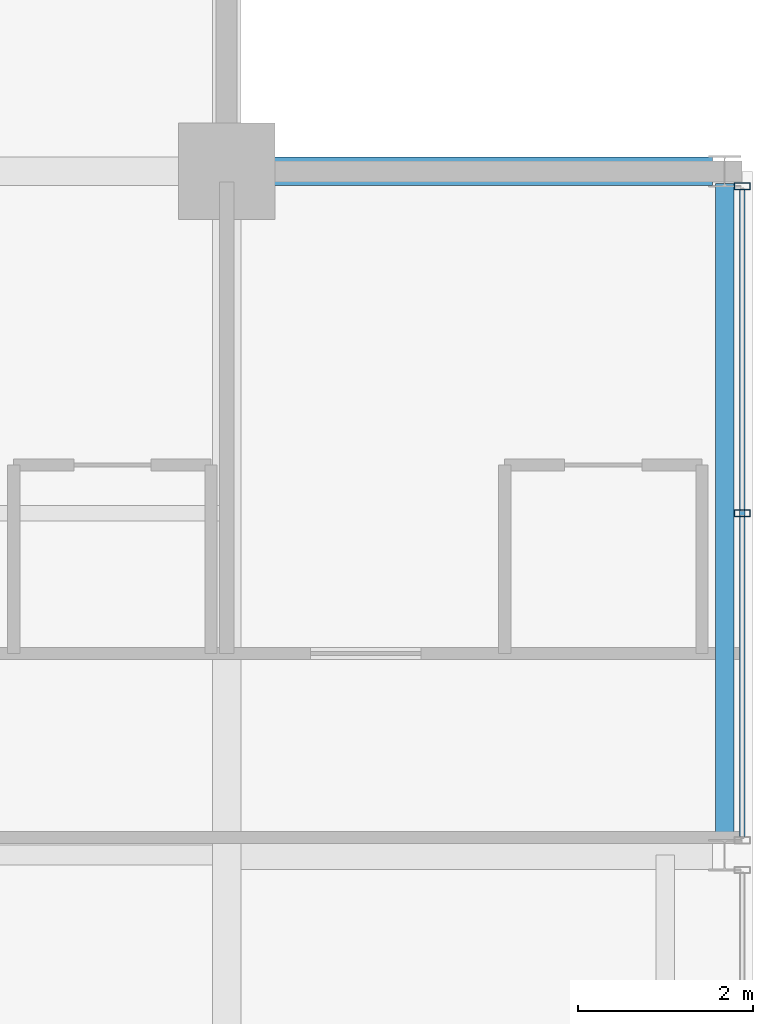
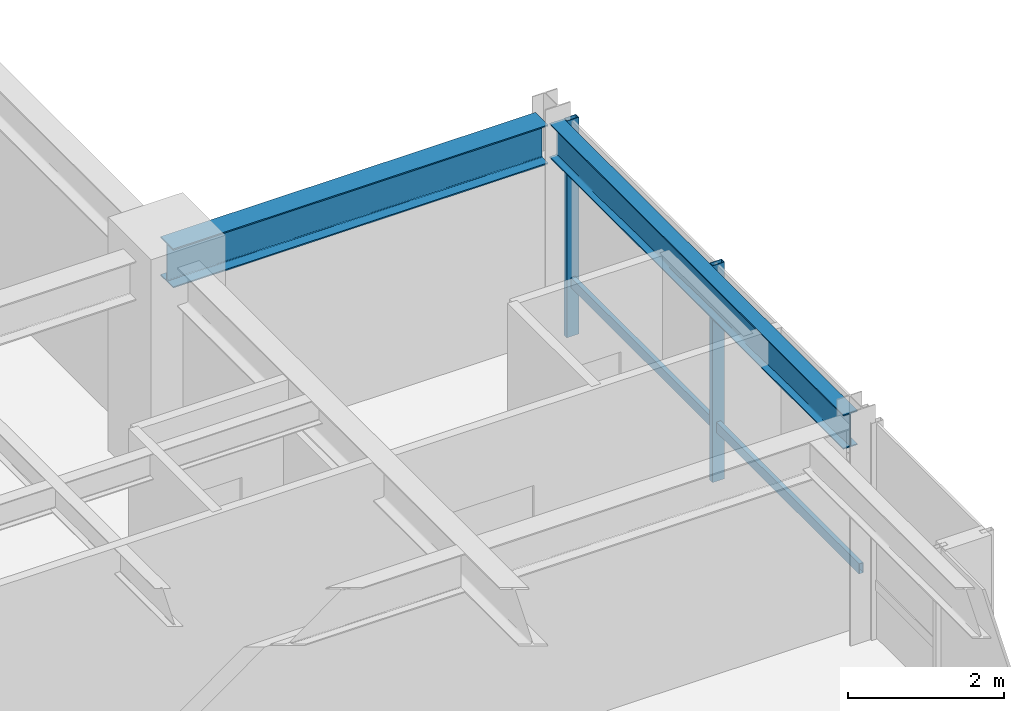
# One storey, part 25 of 33: 3 members, 2 beams, 1 element without a shape of its own.
"""IFC4 building model written with IfcOpenShell, lengths in metres."""

from ifc_helpers import new_model, si_unit, direction, frame, origin, origin_2d, place, context, subcontext, project, spatial, hollow_rectangle, i_section, extrude, material, layer, layer_set, material_profile, profile_set, type_object, element, aggregate, save


model = new_model("IFC4")

# Units and contexts
model_context = context("Model", 3, precision=1e-05, world=origin(), true_north=direction((0.0, 1.0)))
body_context = subcontext(model_context, "Body", "Model", "MODEL_VIEW")
ifc_project = project(units=[si_unit("LENGTHUNIT", "METRE"), si_unit("AREAUNIT", "SQUARE_METRE"), si_unit("VOLUMEUNIT", "CUBIC_METRE"), si_unit("PLANEANGLEUNIT", "RADIAN"), si_unit("MASSUNIT", "GRAM", prefix="KILO")], contexts=[model_context])

# Site, building, storey
site_placement = place(None, origin())
site = spatial("IfcSite", under=ifc_project, at=site_placement, CompositionType="ELEMENT")
building_placement = place(site_placement, origin())
building = spatial("IfcBuilding", under=site, at=building_placement, Name="Drelvath Grand Hotel", CompositionType="ELEMENT")
storey_placement = place(building_placement, frame((0.0, 0.0, 279.60009765625)))
storey = spatial("IfcBuildingStorey", under=building, at=storey_placement, Name="L73", CompositionType="ELEMENT", Elevation=279.60009765625)

# Curtain wall, members
ifc_material_1 = material(Name="Platinum-Mist Anodised Aluminium Frame", Category="aluminium")
ifc_layer = layer(ifc_material_1, 0.199951171875)
ifc_layer_set = layer_set([ifc_layer], Name="Platinum-Mist Anodised Aluminium Frame")
curtain_wall_type = type_object("IfcCurtainWallType", Name="Stick Curtain Wall CW-05 Platinum Mist High-Rise", PredefinedType="NOTDEFINED", material=ifc_layer_set)
curtain_wall_placement = place(storey_placement, origin())
curtain_wall = element("IfcCurtainWall", 1, at=curtain_wall_placement, inside=storey, type_object=curtain_wall_type, Name="L73 CW-05 Curtain Wall CW05-L73-EN2", PredefinedType="NOTDEFINED")
ifc_material_profile_1 = material_profile(ifc_material_1, hollow_rectangle(XDim=0.06494140625, YDim=0.159912109375, WallThickness=0.00390625, at=origin_2d()), Name="HSS160X65X4")
ifc_profile_set_1 = profile_set([ifc_material_profile_1], Name="Platinum-Mist Anodised Aluminium Frame")
member_type_1 = type_object("IfcMemberType", Name="Curtain Wall Horizontal Transom CW-05 HSS160X65X4", PredefinedType="USERDEFINED", material=ifc_profile_set_1)
member_1_placement = place(storey_placement, frame((22.080078125, 42.989990234375, 0.847412109375), z_axis=(0.0, -1.0, 0.0), x_axis=(1.0, 0.0, 0.0)))
member_1 = element("IfcMember", 2, at=member_1_placement, type_object=member_type_1, Name="CW05-L73-EN2 Sill Transom", ObjectType="TRANSOM", PredefinedType="USERDEFINED", context=body_context, shape_type="SweptSolid", body=[
    extrude(hollow_rectangle(XDim=0.06494140625, YDim=0.159912109375, WallThickness=0.00390625, at=origin_2d()), origin(), (0.0, 0.0, 1.0), 7.3798828125),
])
ifc_material_profile_2 = material_profile(ifc_material_1, hollow_rectangle(XDim=0.074951171875, YDim=0.179931640625, WallThickness=0.0048828125, at=origin_2d()), Name="HSS180X75X5")
ifc_profile_set_2 = profile_set([ifc_material_profile_2], Name="Platinum-Mist Anodised Aluminium Frame")
member_type_2 = type_object("IfcMemberType", Name="Curtain Wall Vertical Mullion CW-05 HSS180X75X5", PredefinedType="MULLION", material=ifc_profile_set_2)
member_2_placement = place(storey_placement, frame((22.080078125, 43.030029296875, 0.0), z_axis=(0.0, 0.0, 1.0), x_axis=(0.0, 1.0, 0.0)))
member_2 = element("IfcMember", 3, at=member_2_placement, type_object=member_type_2, Name="CW05-L73-EN2 Mullion 1", PredefinedType="MULLION", context=body_context, shape_type="SweptSolid", body=[
    extrude(hollow_rectangle(XDim=0.074951171875, YDim=0.179931640625, WallThickness=0.0048828125, at=origin_2d()), origin(), (0.0, 0.0, 1.0), 3.389892578125),
])
member_3_placement = place(storey_placement, frame((22.080078125, 39.300048828125, 0.0), z_axis=(0.0, 0.0, 1.0), x_axis=(0.0, 1.0, 0.0)))
member_3 = element("IfcMember", 4, at=member_3_placement, type_object=member_type_2, Name="CW05-L73-EN2 Mullion 2", PredefinedType="MULLION", context=body_context, shape_type="SweptSolid", body=[
    extrude(hollow_rectangle(XDim=0.074951171875, YDim=0.179931640625, WallThickness=0.0048828125, at=origin_2d()), origin(), (0.0, 0.0, 1.0), 3.389892578125),
])
aggregate(curtain_wall, [member_2, member_3, member_1])

# Beams
ifc_material_2 = material(Name="Steel ASTM A992 Gr 50", Category="steel")
ifc_material_profile_3 = material_profile(ifc_material_2, i_section(OverallWidth=0.210205078125, OverallDepth=0.53662109375, WebThickness=0.010986328125, FlangeThickness=0.017333984375, FilletRadius=0.01806640625, at=origin_2d()), Name="W21X68")
ifc_profile_set_3 = profile_set([ifc_material_profile_3], Name="Steel ASTM A992 Gr 50")
beam_type_1 = type_object("IfcBeamType", Name="Perimeter Spandrel Beam W21X68", PredefinedType="SPANDREL", material=ifc_profile_set_3)
beam_1_placement = place(storey_placement, frame((21.8798828125, 35.5400390625, 3.12158203125), z_axis=(0.0, 1.0, 0.0), x_axis=(-1.0, 0.0, 0.0)))
element("IfcBeam", 5, at=beam_1_placement, inside=storey, type_object=beam_type_1, Name="L73 Spandrel East N", PredefinedType="SPANDREL", context=body_context, shape_type="SweptSolid", body=[
    extrude(i_section(OverallWidth=0.210205078125, OverallDepth=0.53662109375, WebThickness=0.010986328125, FlangeThickness=0.017333984375, FilletRadius=0.01806640625, at=origin_2d()), origin(), (0.0, 0.0, 1.0), 7.52001953125),
])
ifc_material_profile_4 = material_profile(ifc_material_2, i_section(OverallWidth=0.323974609375, OverallDepth=0.611083984375, WebThickness=0.0126953125, FlangeThickness=0.01904296875, FilletRadius=0.02197265625, at=origin_2d()), Name="W24X104")
ifc_profile_set_4 = profile_set([ifc_material_profile_4], Name="Steel ASTM A992 Gr 50")
beam_type_2 = type_object("IfcBeamType", Name="Primary Floor Girder W24X104", PredefinedType="BEAM", material=ifc_profile_set_4)
beam_2_placement = place(storey_placement, frame((16.199951171875, 43.199951171875, 3.08447265625), z_axis=(1.0, 0.0, 0.0), x_axis=(0.0, 1.0, 0.0)))
element("IfcBeam", 6, at=beam_2_placement, inside=storey, type_object=beam_type_2, Name="L73 East Grid Girder G", PredefinedType="BEAM", context=body_context, shape_type="SweptSolid", body=[
    extrude(i_section(OverallWidth=0.323974609375, OverallDepth=0.611083984375, WebThickness=0.0126953125, FlangeThickness=0.01904296875, FilletRadius=0.02197265625, at=origin_2d()), origin(), (0.0, 0.0, 1.0), 5.5400390625),
])

save(model, "model.ifc")
